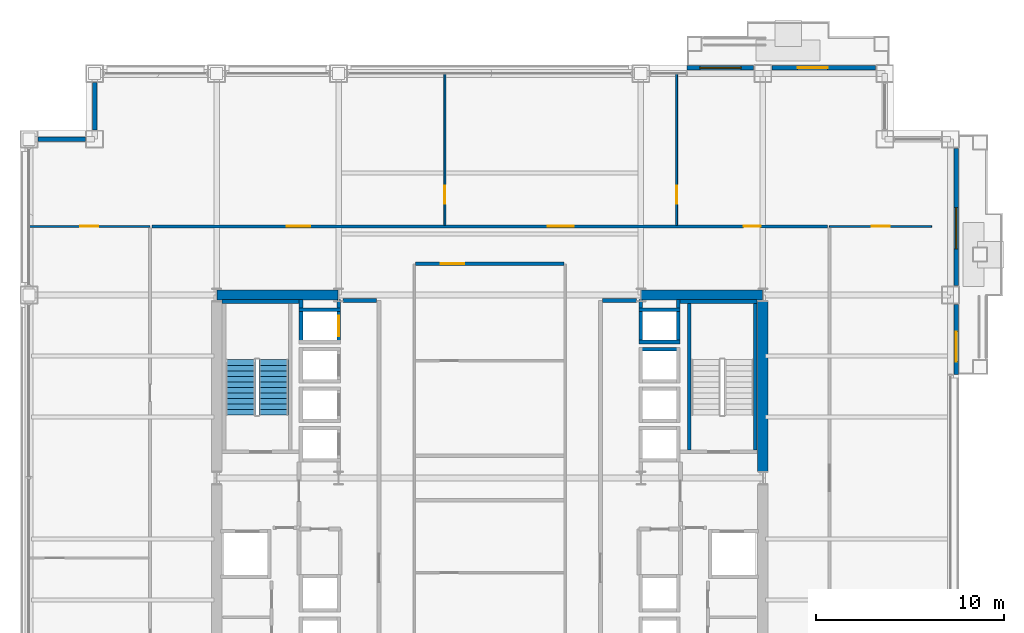
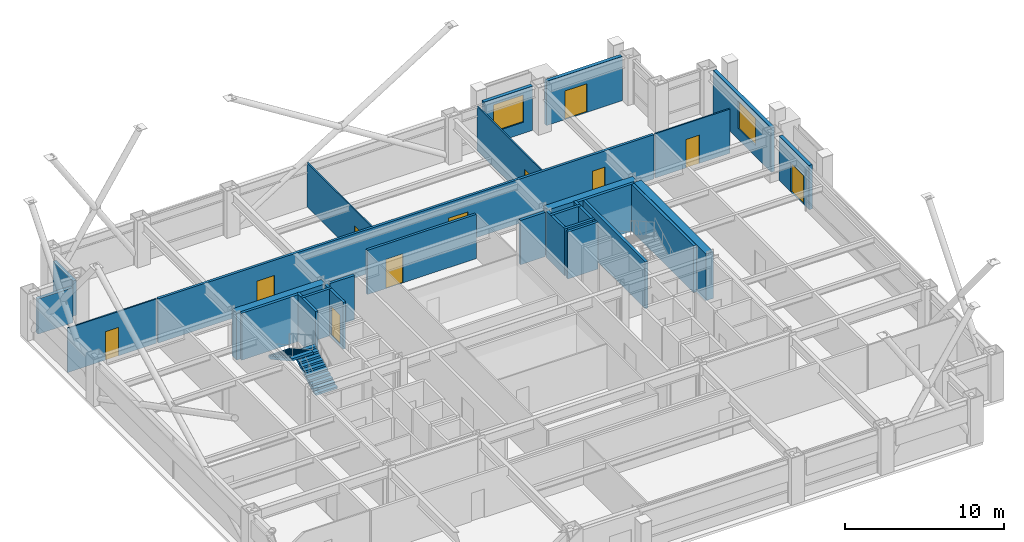
# One storey, part 29 of 33: 29 walls, 11 doors, 2 stair flights, 2 windows, 13 openings, 1 element without a shape of its own.
"""IFC4 building model written with IfcOpenShell, lengths in metres."""

from ifc_helpers import new_model, si_unit, direction, frame, frame_2d, origin, place, context, subcontext, project, spatial, polyline, rectangle, outline, extrude, material, layer, layer_set, type_object, element, fill, aggregate, save


model = new_model("IFC4")

# Units and contexts
model_context = context("Model", 3, precision=1e-05, world=origin(), true_north=direction((0.0, 1.0)))
body_context = subcontext(model_context, "Body", "Model", "MODEL_VIEW")
ifc_project = project(units=[si_unit("LENGTHUNIT", "METRE"), si_unit("AREAUNIT", "SQUARE_METRE"), si_unit("VOLUMEUNIT", "CUBIC_METRE"), si_unit("PLANEANGLEUNIT", "RADIAN"), si_unit("MASSUNIT", "GRAM", prefix="KILO")], contexts=[model_context])

# Site, building, storey
site_placement = place(None, origin())
site = spatial("IfcSite", under=ifc_project, at=site_placement, CompositionType="ELEMENT")
building_placement = place(site_placement, origin())
building = spatial("IfcBuilding", under=site, at=building_placement, Name="Brelmoor Portico Tower", CompositionType="ELEMENT")
storey_placement = place(building_placement, frame((0.0, 0.0, 34.800048828125)))
storey = spatial("IfcBuildingStorey", under=building, at=storey_placement, Name="L08", CompositionType="ELEMENT", Elevation=34.800048828125)

# Walls
ifc_material_1 = material(Name="Concrete C60", Category="concrete")
ifc_layer_1 = layer(ifc_material_1, 0.550048828125)
ifc_layer_set_1 = layer_set([ifc_layer_1], Name="Concrete C60")
wall_type_1 = type_object("IfcWallType", Name="WL-CORE-550", PredefinedType="SHEAR", material=ifc_layer_set_1)
for number, where, z_axis, x_axis, name in (
    (1, (-14.530029296875, 9.75, -0.199951171875), (0.0, 0.0, 1.0), (1.0, 0.0, 0.0), "L08 WC North Shear Wall"),
    (2, (8.070068359375, 9.75, -0.199951171875), (0.0, 0.0, 1.0), (1.0, 0.0, 0.0), "L08 EC North Shear Wall"),
):
    element("IfcWall", number, at=place(storey_placement, frame(where, z_axis=z_axis, x_axis=x_axis)), inside=storey, type_object=wall_type_1, Name=name, PredefinedType="SHEAR", context=body_context, shape_type="SweptSolid", body=[
        extrude(rectangle(XDim=6.4599609375, YDim=0.550048828125, at=frame_2d((3.22998046875, 0.0))), origin(), (0.0, 0.0, 1.0), 3.599853515625),
    ])
wall_1_placement = place(storey_placement, frame((14.550048828125, 0.35009765625, -0.199951171875), z_axis=(0.0, 0.0, 1.0), x_axis=(0.0, 1.0, 0.0)))
element("IfcWall", 3, at=wall_1_placement, inside=storey, type_object=wall_type_1, Name="L08 EC Outer North Shear Wall", PredefinedType="SHEAR", context=body_context, shape_type="SweptSolid", body=[
    extrude(rectangle(XDim=9.0498046875, YDim=0.550048828125, at=frame_2d((4.52490234375, 0.0))), origin(), (0.0, 0.0, 1.0), 3.599853515625),
])

# Wall, opening, window
ifc_material_2 = material(Name="Precast Concrete C40 Insulated Facade Wall", Category="concrete")
ifc_layer_2 = layer(ifc_material_2, 0.25)
ifc_layer_set_2 = layer_set([ifc_layer_2], Name="Precast Concrete C40 Insulated Facade Wall")
wall_type_2 = type_object("IfcWallType", Name="WL-EXT-250", PredefinedType="STANDARD", material=ifc_layer_set_2)
wall_2_placement = place(storey_placement, frame((10.5, 21.860107421875, 0.0), z_axis=(0.0, 0.0, 1.0), x_axis=(1.0, 0.0, 0.0)))
wall_2 = element("IfcWall", 4, at=wall_2_placement, inside=storey, type_object=wall_type_2, Name="L08 Loggia Threshold Wall N-1", PredefinedType="STANDARD", context=body_context, shape_type="SweptSolid", body=[
    extrude(rectangle(XDim=3.554931640625, YDim=0.25, at=frame_2d((1.77734375, 0.0))), origin(), (0.0, 0.0, 1.0), 3.39990234375),
])
opening_1_placement = place(wall_2_placement, frame((0.699951171875, 0.0, 0.85009765625)))
opening_1 = element("IfcOpeningElement", 5, at=opening_1_placement, cuts=wall_2, Name="Opening W-03B", PredefinedType="OPENING", context=body_context, shape_type="SweptSolid", body=[
    extrude(rectangle(XDim=2.199951171875, YDim=2.10009765625, at=frame_2d((1.10009765625, 1.050048828125))), frame((0.0, 0.135009765625, 0.0), z_axis=(0.0, -1.0, 0.0), x_axis=(1.0, 0.0, 0.0)), (0.0, 0.0, 1.0), 0.27001953125),
])
ifc_material_3 = material(Name="Thermally Broken Aluminium Low-E Window", Category="aluminium")
window_type = type_object("IfcWindowType", Name="WN-LOGGIA-2200x2100", PartitioningType="SINGLE_PANEL", PredefinedType="WINDOW", material=ifc_material_3)
window_1_placement = place(opening_1_placement, origin())
window_1 = element("IfcWindow", 6, at=window_1_placement, inside=storey, type_object=window_type, Name="L08 Loggia Window N", OverallHeight=2.10009765625, OverallWidth=2.199951171875, PartitioningType="SINGLE_PANEL", PredefinedType="WINDOW", context=body_context, shape_type="SweptSolid", body=[
    extrude(rectangle(XDim=2.199951171875, YDim=2.10009765625, at=frame_2d((1.10009765625, 1.050048828125))), frame((0.0, 0.030029296875, 0.0), z_axis=(0.0, -1.0, 0.0), x_axis=(1.0, 0.0, 0.0)), (0.0, 0.0, 1.0), 0.06005859375),
])
fill(opening_1, window_1)

# Wall, opening, door
wall_3_placement = place(storey_placement, frame((15.044921875, 21.860107421875, 0.0), z_axis=(0.0, 0.0, 1.0), x_axis=(1.0, 0.0, 0.0)))
wall_3 = element("IfcWall", 7, at=wall_3_placement, inside=storey, type_object=wall_type_2, Name="L08 Loggia Threshold Wall N-2", PredefinedType="STANDARD", context=body_context, shape_type="SweptSolid", body=[
    extrude(rectangle(XDim=5.510009765625, YDim=0.25, at=frame_2d((2.7548828125, 0.0))), origin(), (0.0, 0.0, 1.0), 3.39990234375),
])
opening_2_placement = place(wall_3_placement, frame((1.35498046875, 0.0, 0.0)))
opening_2 = element("IfcOpeningElement", 8, at=opening_2_placement, cuts=wall_3, Name="Opening D-TB1", PredefinedType="OPENING", context=body_context, shape_type="SweptSolid", body=[
    extrude(rectangle(XDim=1.60009765625, YDim=2.199951171875, at=frame_2d((0.800048828125, 1.10009765625))), frame((0.0, 0.135009765625, 0.0), z_axis=(0.0, -1.0, 0.0), x_axis=(1.0, 0.0, 0.0)), (0.0, 0.0, 1.0), 0.27001953125),
])
ifc_material_4 = material(Name="Double-Leaf Thermally Broken Terrace Door", Category="aluminium")
door_type_1 = type_object("IfcDoorType", Name="DR-BALCONY-1600", OperationType="NOTDEFINED", PredefinedType="DOOR", material=ifc_material_4)
door_1_placement = place(opening_2_placement, origin())
door_1 = element("IfcDoor", 9, at=door_1_placement, inside=storey, type_object=door_type_1, Name="D-0379 L08 Tree Balcony Double Door N", OperationType="DOUBLE_DOOR_SINGLE_SWING", OverallHeight=2.199951171875, OverallWidth=1.60009765625, PredefinedType="DOOR", context=body_context, shape_type="SweptSolid", body=[
    extrude(rectangle(XDim=1.60009765625, YDim=2.199951171875, at=frame_2d((0.800048828125, 1.10009765625))), frame((0.0, 0.02490234375, 0.0), z_axis=(0.0, -1.0, 0.0), x_axis=(1.0, 0.0, 0.0)), (0.0, 0.0, 1.0), 0.050048828125),
])
fill(opening_2, door_1)

wall_4_placement = place(storey_placement, frame((24.860107421875, 5.5, 0.0), z_axis=(0.0, 0.0, 1.0), x_axis=(0.0, 1.0, 0.0)))
wall_4 = element("IfcWall", 10, at=wall_4_placement, inside=storey, type_object=wall_type_2, Name="L08 Loggia Threshold Wall E-1", PredefinedType="STANDARD", context=body_context, shape_type="SweptSolid", body=[
    extrude(rectangle(XDim=3.7548828125, YDim=0.25, at=frame_2d((1.87744140625, 0.0))), origin(), (0.0, 0.0, 1.0), 3.39990234375),
])
opening_3_placement = place(wall_4_placement, frame((0.699951171875, 0.0, 0.0)))
opening_3 = element("IfcOpeningElement", 11, at=opening_3_placement, cuts=wall_4, Name="Opening D-TB1", PredefinedType="OPENING", context=body_context, shape_type="SweptSolid", body=[
    extrude(rectangle(XDim=1.60009765625, YDim=2.199951171875, at=frame_2d((0.800048828125, 1.10009765625))), frame((0.0, 0.135009765625, 0.0), z_axis=(0.0, -1.0, 0.0), x_axis=(1.0, 0.0, 0.0)), (0.0, 0.0, 1.0), 0.27001953125),
])
door_2_placement = place(opening_3_placement, origin())
door_2 = element("IfcDoor", 12, at=door_2_placement, inside=storey, type_object=door_type_1, Name="D-0378 L08 Tree Balcony Double Door E", OperationType="DOUBLE_DOOR_SINGLE_SWING", OverallHeight=2.199951171875, OverallWidth=1.60009765625, PredefinedType="DOOR", context=body_context, shape_type="SweptSolid", body=[
    extrude(rectangle(XDim=1.60009765625, YDim=2.199951171875, at=frame_2d((0.800048828125, 1.10009765625))), frame((0.0, 0.02490234375, 0.0), z_axis=(0.0, -1.0, 0.0), x_axis=(1.0, 0.0, 0.0)), (0.0, 0.0, 1.0), 0.050048828125),
])
fill(opening_3, door_2)

# Wall, opening, window
wall_5_placement = place(storey_placement, frame((24.860107421875, 10.2451171875, 0.0), z_axis=(0.0, 0.0, 1.0), x_axis=(0.0, 1.0, 0.0)))
wall_5 = element("IfcWall", 13, at=wall_5_placement, inside=storey, type_object=wall_type_2, Name="L08 Loggia Threshold Wall E-2", PredefinedType="STANDARD", context=body_context, shape_type="SweptSolid", body=[
    extrude(rectangle(XDim=7.309814453125, YDim=0.25, at=frame_2d((3.65478515625, 0.0))), origin(), (0.0, 0.0, 1.0), 3.39990234375),
])
opening_4_placement = place(wall_5_placement, frame((1.955078125, 0.0, 0.85009765625)))
opening_4 = element("IfcOpeningElement", 14, at=opening_4_placement, cuts=wall_5, Name="Opening W-03B", PredefinedType="OPENING", context=body_context, shape_type="SweptSolid", body=[
    extrude(rectangle(XDim=2.199951171875, YDim=2.10009765625, at=frame_2d((1.10009765625, 1.050048828125))), frame((0.0, 0.135009765625, 0.0), z_axis=(0.0, -1.0, 0.0), x_axis=(1.0, 0.0, 0.0)), (0.0, 0.0, 1.0), 0.27001953125),
])
window_2_placement = place(opening_4_placement, origin())
window_2 = element("IfcWindow", 15, at=window_2_placement, inside=storey, type_object=window_type, Name="L08 Loggia Window E", OverallHeight=2.10009765625, OverallWidth=2.199951171875, PartitioningType="SINGLE_PANEL", PredefinedType="WINDOW", context=body_context, shape_type="SweptSolid", body=[
    extrude(rectangle(XDim=2.199951171875, YDim=2.10009765625, at=frame_2d((1.10009765625, 1.050048828125))), frame((0.0, 0.030029296875, 0.0), z_axis=(0.0, -1.0, 0.0), x_axis=(1.0, 0.0, 0.0)), (0.0, 0.0, 1.0), 0.06005859375),
])
fill(opening_4, window_2)

# Walls
for number, where, z_axis, x_axis, name in (
    (16, (-24.06494140625, 18.050048828125, 0.0), (0.0, 0.0, 1.0), (1.0, 0.0, 0.0), "L08 Corner Notch Facade Wall NNWH1"),
    (17, (-21.050048828125, 18.534912109375, 0.0), (0.0, 0.0, 1.0), (0.0, 1.0, 0.0), "L08 Corner Notch Facade Wall NNWV1"),
):
    element("IfcWall", number, at=place(storey_placement, frame(where, z_axis=z_axis, x_axis=x_axis)), inside=storey, type_object=wall_type_2, Name=name, PredefinedType="STANDARD", context=body_context, shape_type="SweptSolid", body=[
        extrude(rectangle(XDim=2.530029296875, YDim=0.25, at=frame_2d((1.26513671875, 0.0))), origin(), (0.0, 0.0, 1.0), 2.699951171875),
    ])

# Wall, opening, door
ifc_material_5 = material(Name="Demountable Glazed Office Partition", Category="aluminium")
ifc_layer_3 = layer(ifc_material_5, 0.10009765625)
ifc_layer_set_3 = layer_set([ifc_layer_3], Name="Demountable Glazed Office Partition")
wall_type_3 = type_object("IfcWallType", Name="WL-PART-100", PredefinedType="PARTITIONING", material=ifc_layer_set_3)
wall_6_placement = place(storey_placement, frame((-2.38916015625, 13.4599609375, 0.0), z_axis=(0.0, 0.0, 1.0), x_axis=(0.0, 1.0, 0.0)))
wall_6 = element("IfcWall", 18, at=wall_6_placement, inside=storey, type_object=wall_type_3, Name="L08 North Suite Partition 1", PredefinedType="PARTITIONING", context=body_context, shape_type="SweptSolid", body=[
    extrude(rectangle(XDim=8.10009765625, YDim=0.10009765625, at=frame_2d((4.050048828125, 0.0))), origin(), (0.0, 0.0, 1.0), 3.39990234375),
])
opening_5_placement = place(wall_6_placement, frame((1.14990234375, 0.0, 0.0)))
opening_5 = element("IfcOpeningElement", 19, at=opening_5_placement, cuts=wall_6, Name="Opening D-IN2", PredefinedType="OPENING", context=body_context, shape_type="SweptSolid", body=[
    extrude(rectangle(XDim=0.9599609375, YDim=2.179931640625, at=frame_2d((0.47998046875, 1.08984375))), frame((0.0, 0.06005859375, 0.0), z_axis=(0.0, -1.0, 0.0), x_axis=(1.0, 0.0, 0.0)), (0.0, 0.0, 1.0), 0.1201171875),
])
ifc_material_6 = material(Name="Lacquered Timber Suite Door", Category="wood")
door_type_2 = type_object("IfcDoorType", Name="DR-INT-950", OperationType="NOTDEFINED", PredefinedType="DOOR", material=ifc_material_6)
door_3_placement = place(opening_5_placement, origin())
door_3 = element("IfcDoor", 20, at=door_3_placement, inside=storey, type_object=door_type_2, Name="D-0367 L08 North Suite Connecting Door 1", OperationType="SINGLE_SWING_LEFT", OverallHeight=2.179931640625, OverallWidth=0.9599609375, PredefinedType="DOOR", context=body_context, shape_type="SweptSolid", body=[
    extrude(rectangle(XDim=0.9599609375, YDim=2.179931640625, at=frame_2d((0.47998046875, 1.08984375))), frame((0.0, 0.02490234375, 0.0), z_axis=(0.0, -1.0, 0.0), x_axis=(1.0, 0.0, 0.0)), (0.0, 0.0, 1.0), 0.050048828125),
])
fill(opening_5, door_3)

wall_7_placement = place(storey_placement, frame((9.955078125, 13.4599609375, 0.0), z_axis=(0.0, 0.0, 1.0), x_axis=(0.0, 1.0, 0.0)))
wall_7 = element("IfcWall", 21, at=wall_7_placement, inside=storey, type_object=wall_type_3, Name="L08 North Suite Partition 2", PredefinedType="PARTITIONING", context=body_context, shape_type="SweptSolid", body=[
    extrude(rectangle(XDim=8.10009765625, YDim=0.10009765625, at=frame_2d((4.050048828125, 0.0))), origin(), (0.0, 0.0, 1.0), 3.39990234375),
])
opening_6_placement = place(wall_7_placement, frame((1.14990234375, 0.0, 0.0)))
opening_6 = element("IfcOpeningElement", 22, at=opening_6_placement, cuts=wall_7, Name="Opening D-IN2", PredefinedType="OPENING", context=body_context, shape_type="SweptSolid", body=[
    extrude(rectangle(XDim=0.9599609375, YDim=2.179931640625, at=frame_2d((0.47998046875, 1.08984375))), frame((0.0, 0.06005859375, 0.0), z_axis=(0.0, -1.0, 0.0), x_axis=(1.0, 0.0, 0.0)), (0.0, 0.0, 1.0), 0.1201171875),
])
door_4_placement = place(opening_6_placement, origin())
door_4 = element("IfcDoor", 23, at=door_4_placement, inside=storey, type_object=door_type_2, Name="D-0368 L08 North Suite Connecting Door 2", OperationType="SINGLE_SWING_RIGHT", OverallHeight=2.179931640625, OverallWidth=0.9599609375, PredefinedType="DOOR", context=body_context, shape_type="SweptSolid", body=[
    extrude(rectangle(XDim=0.9599609375, YDim=2.179931640625, at=frame_2d((0.47998046875, 1.08984375))), frame((0.0, 0.02490234375, 0.0), z_axis=(0.0, -1.0, 0.0), x_axis=(1.0, 0.0, 0.0)), (0.0, 0.0, 1.0), 0.050048828125),
])
fill(opening_6, door_4)

wall_8_placement = place(storey_placement, frame((-24.56005859375, 13.39990234375, 0.0), z_axis=(0.0, 0.0, 1.0), x_axis=(1.0, 0.0, 0.0)))
wall_8 = element("IfcWall", 24, at=wall_8_placement, inside=storey, type_object=wall_type_3, Name="L08 North Outer Closure WL", PredefinedType="PARTITIONING", context=body_context, shape_type="SweptSolid", body=[
    extrude(rectangle(XDim=6.4599609375, YDim=0.10009765625, at=frame_2d((3.22998046875, 0.0))), origin(), (0.0, 0.0, 1.0), 3.39990234375),
])
opening_7_placement = place(wall_8_placement, frame((2.75, 0.0, 0.0)))
opening_7 = element("IfcOpeningElement", 25, at=opening_7_placement, cuts=wall_8, Name="Opening D-IN2", PredefinedType="OPENING", context=body_context, shape_type="SweptSolid", body=[
    extrude(rectangle(XDim=0.9599609375, YDim=2.179931640625, at=frame_2d((0.47998046875, 1.08984375))), frame((0.0, 0.06005859375, 0.0), z_axis=(0.0, -1.0, 0.0), x_axis=(1.0, 0.0, 0.0)), (0.0, 0.0, 1.0), 0.1201171875),
])
door_5_placement = place(opening_7_placement, origin())
door_5 = element("IfcDoor", 26, at=door_5_placement, inside=storey, type_object=door_type_2, Name="D-0370 L08 WL North Corner Suite Door", OperationType="SINGLE_SWING_LEFT", OverallHeight=2.179931640625, OverallWidth=0.9599609375, PredefinedType="DOOR", context=body_context, shape_type="SweptSolid", body=[
    extrude(rectangle(XDim=0.9599609375, YDim=2.179931640625, at=frame_2d((0.47998046875, 1.08984375))), frame((0.0, 0.02490234375, 0.0), z_axis=(0.0, -1.0, 0.0), x_axis=(1.0, 0.0, 0.0)), (0.0, 0.0, 1.0), 0.050048828125),
])
fill(opening_7, door_5)

wall_9_placement = place(storey_placement, frame((18.10009765625, 13.39990234375, 0.0), z_axis=(0.0, 0.0, 1.0), x_axis=(1.0, 0.0, 0.0)))
wall_9 = element("IfcWall", 27, at=wall_9_placement, inside=storey, type_object=wall_type_3, Name="L08 North Outer Closure ER", PredefinedType="PARTITIONING", context=body_context, shape_type="SweptSolid", body=[
    extrude(rectangle(XDim=5.449951171875, YDim=0.10009765625, at=frame_2d((2.72509765625, 0.0))), origin(), (0.0, 0.0, 1.0), 3.39990234375),
])
opening_8_placement = place(wall_9_placement, frame((2.2451171875, 0.0, 0.0)))
opening_8 = element("IfcOpeningElement", 28, at=opening_8_placement, cuts=wall_9, Name="Opening D-IN2", PredefinedType="OPENING", context=body_context, shape_type="SweptSolid", body=[
    extrude(rectangle(XDim=0.9599609375, YDim=2.179931640625, at=frame_2d((0.47998046875, 1.08984375))), frame((0.0, 0.06005859375, 0.0), z_axis=(0.0, -1.0, 0.0), x_axis=(1.0, 0.0, 0.0)), (0.0, 0.0, 1.0), 0.1201171875),
])
door_6_placement = place(opening_8_placement, origin())
door_6 = element("IfcDoor", 29, at=door_6_placement, inside=storey, type_object=door_type_2, Name="D-0369 L08 ER North Corner Suite Door", OperationType="SINGLE_SWING_RIGHT", OverallHeight=2.179931640625, OverallWidth=0.9599609375, PredefinedType="DOOR", context=body_context, shape_type="SweptSolid", body=[
    extrude(rectangle(XDim=0.9599609375, YDim=2.179931640625, at=frame_2d((0.47998046875, 1.08984375))), frame((0.0, 0.02490234375, 0.0), z_axis=(0.0, -1.0, 0.0), x_axis=(1.0, 0.0, 0.0)), (0.0, 0.0, 1.0), 0.050048828125),
])
fill(opening_8, door_6)

ifc_material_7 = material(Name="Acoustic Corridor Fire Partition", Category="gypsum")
ifc_layer_4 = layer(ifc_material_7, 0.179931640625)
ifc_layer_set_4 = layer_set([ifc_layer_4], Name="Acoustic Corridor Fire Partition")
wall_type_4 = type_object("IfcWallType", Name="WL-PART-180", PredefinedType="PARTITIONING", material=ifc_layer_set_4)
wall_10_placement = place(storey_placement, frame((-3.949951171875, 11.419921875, 0.0), z_axis=(0.0, 0.0, 1.0), x_axis=(1.0, 0.0, 0.0)))
wall_10 = element("IfcWall", 30, at=wall_10_placement, inside=storey, type_object=wall_type_4, Name="L08 Central Meeting Corridor Wall", PredefinedType="PARTITIONING", context=body_context, shape_type="SweptSolid", body=[
    extrude(rectangle(XDim=7.89990234375, YDim=0.179931640625, at=frame_2d((3.949951171875, 0.0))), origin(), (0.0, 0.0, 1.0), 3.39990234375),
])
opening_9_placement = place(wall_10_placement, frame((1.35009765625, 0.0, 0.0)))
opening_9 = element("IfcOpeningElement", 31, at=opening_9_placement, cuts=wall_10, Name="Opening D-SU1", PredefinedType="OPENING", context=body_context, shape_type="SweptSolid", body=[
    extrude(rectangle(XDim=1.239990234375, YDim=2.239990234375, at=frame_2d((0.6201171875, 1.1201171875))), frame((0.0, 0.099853515625, 0.0), z_axis=(0.0, -1.0, 0.0), x_axis=(1.0, 0.0, 0.0)), (0.0, 0.0, 1.0), 0.199951171875),
])
ifc_material_8 = material(Name="Glazed Timber Executive Suite Door", Category="wood")
door_type_3 = type_object("IfcDoorType", Name="DR-SUITE-1200", OperationType="NOTDEFINED", PredefinedType="DOOR", material=ifc_material_8)
door_7_placement = place(opening_9_placement, origin())
door_7 = element("IfcDoor", 32, at=door_7_placement, inside=storey, type_object=door_type_3, Name="D-0348 L08 Client Meeting Room Door", OperationType="SINGLE_SWING_LEFT", OverallHeight=2.239990234375, OverallWidth=1.239990234375, PredefinedType="DOOR", context=body_context, shape_type="SweptSolid", body=[
    extrude(rectangle(XDim=1.239990234375, YDim=2.239990234375, at=frame_2d((0.6201171875, 1.1201171875))), frame((0.0, 0.02490234375, 0.0), z_axis=(0.0, -1.0, 0.0), x_axis=(1.0, 0.0, 0.0)), (0.0, 0.0, 1.0), 0.050048828125),
])
fill(opening_9, door_7)

# Wall, openings, doors
wall_11_placement = place(storey_placement, frame((-18.0, 13.39990234375, 0.0), z_axis=(0.0, 0.0, 1.0), x_axis=(1.0, 0.0, 0.0)))
wall_11 = element("IfcWall", 33, at=wall_11_placement, inside=storey, type_object=wall_type_4, Name="L08 North Corridor Partition", PredefinedType="PARTITIONING", context=body_context, shape_type="SweptSolid", body=[
    extrude(rectangle(XDim=36.0, YDim=0.179931640625, at=frame_2d((18.0, 0.0))), origin(), (0.0, 0.0, 1.0), 3.39990234375),
])
opening_10_placement = place(wall_11_placement, frame((7.185302734375, 0.0, 0.0)))
opening_10 = element("IfcOpeningElement", 34, at=opening_10_placement, cuts=wall_11, Name="Opening D-SU1", PredefinedType="OPENING", context=body_context, shape_type="SweptSolid", body=[
    extrude(rectangle(XDim=1.239990234375, YDim=2.239990234375, at=frame_2d((0.6201171875, 1.1201171875))), frame((0.0, 0.099853515625, 0.0), z_axis=(0.0, -1.0, 0.0), x_axis=(1.0, 0.0, 0.0)), (0.0, 0.0, 1.0), 0.199951171875),
])
opening_11_placement = place(wall_11_placement, frame((21.0830078125, 0.0, 0.0)))
opening_11 = element("IfcOpeningElement", 35, at=opening_11_placement, cuts=wall_11, Name="Opening D-SU2", PredefinedType="OPENING", context=body_context, shape_type="SweptSolid", body=[
    extrude(rectangle(XDim=1.39990234375, YDim=2.199951171875, at=frame_2d((0.699951171875, 1.10009765625))), frame((0.0, 0.099853515625, 0.0), z_axis=(0.0, -1.0, 0.0), x_axis=(1.0, 0.0, 0.0)), (0.0, 0.0, 1.0), 0.199951171875),
])
opening_12_placement = place(wall_11_placement, frame((31.527587890625, 0.0, 0.0)))
opening_12 = element("IfcOpeningElement", 36, at=opening_12_placement, cuts=wall_11, Name="Opening D-IN1", PredefinedType="OPENING", context=body_context, shape_type="SweptSolid", body=[
    extrude(rectangle(XDim=0.89990234375, YDim=2.14990234375, at=frame_2d((0.449951171875, 1.074951171875))), frame((0.0, 0.099853515625, 0.0), z_axis=(0.0, -1.0, 0.0), x_axis=(1.0, 0.0, 0.0)), (0.0, 0.0, 1.0), 0.199951171875),
])
door_type_4 = type_object("IfcDoorType", Name="DR-INT-900", OperationType="NOTDEFINED", PredefinedType="DOOR", material=ifc_material_6)
door_8_placement = place(opening_12_placement, origin())
door_8 = element("IfcDoor", 37, at=door_8_placement, inside=storey, type_object=door_type_4, Name="D-0366 L08 North Open-Plan Office 3 Door", OperationType="SINGLE_SWING_RIGHT", OverallHeight=2.14990234375, OverallWidth=0.89990234375, PredefinedType="DOOR", context=body_context, shape_type="SweptSolid", body=[
    extrude(rectangle(XDim=0.89990234375, YDim=2.14990234375, at=frame_2d((0.449951171875, 1.074951171875))), frame((0.0, 0.02490234375, 0.0), z_axis=(0.0, -1.0, 0.0), x_axis=(1.0, 0.0, 0.0)), (0.0, 0.0, 1.0), 0.050048828125),
])
fill(opening_12, door_8)
door_9_placement = place(opening_10_placement, origin())
door_9 = element("IfcDoor", 38, at=door_9_placement, inside=storey, type_object=door_type_3, Name="D-0364 L08 North Design Research Library 1 Door", OperationType="SINGLE_SWING_LEFT", OverallHeight=2.239990234375, OverallWidth=1.239990234375, PredefinedType="DOOR", context=body_context, shape_type="SweptSolid", body=[
    extrude(rectangle(XDim=1.239990234375, YDim=2.239990234375, at=frame_2d((0.6201171875, 1.1201171875))), frame((0.0, 0.02490234375, 0.0), z_axis=(0.0, -1.0, 0.0), x_axis=(1.0, 0.0, 0.0)), (0.0, 0.0, 1.0), 0.050048828125),
])
fill(opening_10, door_9)
ifc_material_9 = material(Name="Double-Leaf Acoustic Suite Door", Category="timber")
door_type_5 = type_object("IfcDoorType", Name="DR-SUITE-1400", OperationType="NOTDEFINED", PredefinedType="DOOR", material=ifc_material_9)
door_10_placement = place(opening_11_placement, origin())
door_10 = element("IfcDoor", 39, at=door_10_placement, inside=storey, type_object=door_type_5, Name="D-0365 L08 North Quiet Reading Study 2 Door", OperationType="DOUBLE_DOOR_SINGLE_SWING", OverallHeight=2.199951171875, OverallWidth=1.39990234375, PredefinedType="DOOR", context=body_context, shape_type="SweptSolid", body=[
    extrude(rectangle(XDim=1.39990234375, YDim=2.199951171875, at=frame_2d((0.699951171875, 1.10009765625))), frame((0.0, 0.02490234375, 0.0), z_axis=(0.0, -1.0, 0.0), x_axis=(1.0, 0.0, 0.0)), (0.0, 0.0, 1.0), 0.050048828125),
])
fill(opening_11, door_10)

# Walls
ifc_material_10 = material(Name="Double-Stud Gypsum Fire Partition", Category="gypsum")
ifc_layer_5 = layer(ifc_material_10, 0.199951171875)
ifc_layer_set_5 = layer_set([ifc_layer_5], Name="Double-Stud Gypsum Fire Partition")
wall_type_5 = type_object("IfcWallType", Name="WL-PART-200", PredefinedType="PARTITIONING", material=ifc_layer_set_5)
for number, where, z_axis, x_axis, name in (
    (40, (-6.02001953125, 9.449951171875, 0.0), (0.0, 0.0, 1.0), (-1.0, 0.0, 0.0), "L08 W Lift Lobby North End Wall"),
    (41, (6.02001953125, 9.449951171875, 0.0), (0.0, 0.0, 1.0), (1.0, 0.0, 0.0), "L08 E Lift Lobby North End Wall"),
):
    element("IfcWall", number, at=place(storey_placement, frame(where, z_axis=z_axis, x_axis=x_axis)), inside=storey, type_object=wall_type_5, Name=name, PredefinedType="PARTITIONING", context=body_context, shape_type="SweptSolid", body=[
        extrude(rectangle(XDim=1.800048828125, YDim=0.199951171875, at=frame_2d((0.89990234375, 0.0))), origin(), (0.0, 0.0, 1.0), 3.39990234375),
    ])

# Wall, opening, door
ifc_material_11 = material(Name="Precast Concrete C40", Category="concrete")
ifc_layer_6 = layer(ifc_material_11, 0.18994140625)
ifc_layer_set_6 = layer_set([ifc_layer_6], Name="Precast Concrete C40")
wall_type_6 = type_object("IfcWallType", Name="WL-SHAFT-180", PredefinedType="SOLIDWALL", material=ifc_layer_set_6)
wall_12_placement = place(storey_placement, frame((-8.044921875, 7.14990234375, -0.199951171875), z_axis=(0.0, 0.0, 1.0), x_axis=(0.0, 1.0, 0.0)))
wall_12 = element("IfcWall", 42, at=wall_12_placement, inside=storey, type_object=wall_type_6, Name="L08 Lift PL4 Hoistway Front Wall", PredefinedType="SOLIDWALL", context=body_context, shape_type="SweptSolid", body=[
    extrude(rectangle(XDim=2.3701171875, YDim=0.18994140625, at=frame_2d((1.18505859375, 0.0))), origin(), (0.0, 0.0, 1.0), 3.599853515625),
])
opening_13_placement = place(wall_12_placement, frame((0.39990234375, 0.0, 0.199951171875)))
opening_13 = element("IfcOpeningElement", 43, at=opening_13_placement, cuts=wall_12, Name="Opening LD-01", PredefinedType="OPENING", context=body_context, shape_type="SweptSolid", body=[
    extrude(rectangle(XDim=1.10009765625, YDim=2.199951171875, at=frame_2d((0.550048828125, 1.10009765625))), frame((0.0, 0.10498046875, 0.0), z_axis=(0.0, -1.0, 0.0), x_axis=(1.0, 0.0, 0.0)), (0.0, 0.0, 1.0), 0.2099609375),
])
ifc_material_12 = material(Name="Brushed Stainless Steel Sliding Lift Door", Category="steel")
door_type_6 = type_object("IfcDoorType", Name="DR-LIFT-1100", OperationType="NOTDEFINED", PredefinedType="DOOR", material=ifc_material_12)
door_11_placement = place(opening_13_placement, origin())
door_11 = element("IfcDoor", 44, at=door_11_placement, inside=storey, type_object=door_type_6, Name="D-0390 L08 Lift PL4 Sliding Landing Door", OperationType="SLIDING_TO_LEFT", OverallHeight=2.199951171875, OverallWidth=1.10009765625, PredefinedType="DOOR", context=body_context, shape_type="SweptSolid", body=[
    extrude(rectangle(XDim=1.10009765625, YDim=2.199951171875, at=frame_2d((0.550048828125, 1.10009765625))), frame((0.0, 0.02490234375, 0.0), z_axis=(0.0, -1.0, 0.0), x_axis=(1.0, 0.0, 0.0)), (0.0, 0.0, 1.0), 0.050048828125),
])
fill(opening_13, door_11)

# Walls
wall_13_placement = place(storey_placement, frame((-10.054931640625, 7.14990234375, -0.199951171875), z_axis=(0.0, 0.0, 1.0), x_axis=(0.0, 1.0, 0.0)))
element("IfcWall", 45, at=wall_13_placement, inside=storey, type_object=wall_type_6, Name="L08 Lift PL4 Hoistway Back Wall", PredefinedType="SOLIDWALL", context=body_context, shape_type="SweptSolid", body=[
    extrude(rectangle(XDim=2.3701171875, YDim=0.18994140625, at=frame_2d((1.18505859375, 0.0))), origin(), (0.0, 0.0, 1.0), 3.599853515625),
])
for number, where, z_axis, x_axis, name in (
    (46, (-10.14990234375, 8.955078125, -0.199951171875), (0.0, 0.0, 1.0), (1.0, 0.0, 0.0), "L08 Lift PL4 Hoistway North Wall"),
    (47, (7.949951171875, 6.85498046875, -0.199951171875), (0.0, 0.0, 1.0), (1.0, 0.0, 0.0), "L08 Lift PM3 Hoistway North Wall"),
):
    element("IfcWall", number, at=place(storey_placement, frame(where, z_axis=z_axis, x_axis=x_axis)), inside=storey, type_object=wall_type_6, Name=name, PredefinedType="SOLIDWALL", context=body_context, shape_type="SweptSolid", body=[
        extrude(rectangle(XDim=2.199951171875, YDim=0.18994140625, at=frame_2d((1.10009765625, 0.0))), origin(), (0.0, 0.0, 1.0), 3.599853515625),
    ])
for number, where, z_axis, x_axis, name in (
    (48, (8.044921875, 7.14990234375, -0.199951171875), (0.0, 0.0, 1.0), (0.0, 1.0, 0.0), "L08 Lift PM4 Hoistway Front Wall"),
    (49, (10.054931640625, 7.14990234375, -0.199951171875), (0.0, 0.0, 1.0), (0.0, 1.0, 0.0), "L08 Lift PM4 Hoistway Back Wall"),
):
    element("IfcWall", number, at=place(storey_placement, frame(where, z_axis=z_axis, x_axis=x_axis)), inside=storey, type_object=wall_type_6, Name=name, PredefinedType="SOLIDWALL", context=body_context, shape_type="SweptSolid", body=[
        extrude(rectangle(XDim=2.3701171875, YDim=0.18994140625, at=frame_2d((1.18505859375, 0.0))), origin(), (0.0, 0.0, 1.0), 3.599853515625),
    ])
for number, where, z_axis, x_axis, name in (
    (50, (7.949951171875, 8.955078125, -0.199951171875), (0.0, 0.0, 1.0), (1.0, 0.0, 0.0), "L08 Lift PM4 Hoistway North Wall"),
    (51, (7.949951171875, 7.2451171875, -0.199951171875), (0.0, 0.0, 1.0), (1.0, 0.0, 0.0), "L08 Lift PM4 Hoistway South Wall"),
):
    element("IfcWall", number, at=place(storey_placement, frame(where, z_axis=z_axis, x_axis=x_axis)), inside=storey, type_object=wall_type_6, Name=name, PredefinedType="SOLIDWALL", context=body_context, shape_type="SweptSolid", body=[
        extrude(rectangle(XDim=2.199951171875, YDim=0.18994140625, at=frame_2d((1.10009765625, 0.0))), origin(), (0.0, 0.0, 1.0), 3.599853515625),
    ])
ifc_material_13 = material(Name="Concrete C40", Category="concrete")
ifc_layer_7 = layer(ifc_material_13, 0.199951171875)
ifc_layer_set_7 = layer_set([ifc_layer_7], Name="Concrete C40")
wall_type_7 = type_object("IfcWallType", Name="WL-SHAFT-RC200", PredefinedType="SOLIDWALL", material=ifc_layer_set_7)
wall_14_placement = place(storey_placement, frame((14.14990234375, 1.5, -0.199951171875), z_axis=(0.0, 0.0, 1.0), x_axis=(0.0, 1.0, 0.0)))
element("IfcWall", 52, at=wall_14_placement, inside=storey, type_object=wall_type_7, Name="L08 ST-E Structural Stair Wall Outer", PredefinedType="SOLIDWALL", context=body_context, shape_type="SweptSolid", body=[
    extrude(rectangle(XDim=7.800048828125, YDim=0.199951171875, at=frame_2d((3.89990234375, 0.0))), origin(), (0.0, 0.0, 1.0), 3.599853515625),
])
for number, where, z_axis, x_axis, name in (
    (53, (-14.25, 9.39990234375, -0.199951171875), (0.0, 0.0, 1.0), (1.0, 0.0, 0.0), "L08 ST-W Structural Stair Wall N"),
    (54, (10.14990234375, 9.39990234375, -0.199951171875), (0.0, 0.0, 1.0), (1.0, 0.0, 0.0), "L08 ST-E Structural Stair Wall N"),
):
    element("IfcWall", number, at=place(storey_placement, frame(where, z_axis=z_axis, x_axis=x_axis)), inside=storey, type_object=wall_type_7, Name=name, PredefinedType="SOLIDWALL", context=body_context, shape_type="SweptSolid", body=[
        extrude(rectangle(XDim=4.10009765625, YDim=0.199951171875, at=frame_2d((2.050048828125, 0.0))), origin(), (0.0, 0.0, 1.0), 3.599853515625),
    ])
wall_15_placement = place(storey_placement, frame((10.6298828125, 1.5, -0.199951171875), z_axis=(0.0, 0.0, 1.0), x_axis=(0.0, 1.0, 0.0)))
element("IfcWall", 55, at=wall_15_placement, inside=storey, type_object=wall_type_7, Name="L08 ST-E Structural Stair Wall Inner", PredefinedType="SOLIDWALL", context=body_context, shape_type="SweptSolid", body=[
    extrude(rectangle(XDim=7.800048828125, YDim=0.199951171875, at=frame_2d((3.89990234375, 0.0))), origin(), (0.0, 0.0, 1.0), 3.599853515625),
])

# Stair, stair flights
stair_type = type_object("IfcStairType", Name="ST-CORE-W", PredefinedType="HALF_TURN_STAIR", material=ifc_material_13)
stair_placement = place(storey_placement, origin())
stair = element("IfcStair", 56, at=stair_placement, inside=storey, type_object=stair_type, Name="L08 Protected Core Exit Stair ST-W", PredefinedType="HALF_TURN_STAIR")
stair_flight_type = type_object("IfcStairFlightType", Name="SF-CORE-1850", PredefinedType="STRAIGHT", material=ifc_material_13)
stair_flight_1_placement = place(storey_placement, frame((-11.510009765625, 3.35009765625, 0.0), z_axis=(0.0, 0.0, 1.0), x_axis=(0.0, 1.0, 0.0)))
stair_flight_1 = element("IfcStairFlight", 57, at=stair_flight_1_placement, type_object=stair_flight_type, Name="ST-W flight 1", NumberOfRisers=11, NumberOfTreads=10, PredefinedType="STRAIGHT", RiserHeight=0.163636364, TreadLength=0.295, context=body_context, shape_type="SweptSolid", body=[
    extrude(outline(polyline([(0.0, 0.0), (0.0, 0.16357421875), (0.294921875, 0.16357421875), (0.294921875, 0.327392578125), (0.590087890625, 0.327392578125), (0.590087890625, 0.490966796875), (0.885009765625, 0.490966796875), (0.885009765625, 0.654541015625), (1.179931640625, 0.654541015625), (1.179931640625, 0.818115234375), (1.47509765625, 0.818115234375), (1.47509765625, 0.98193359375), (1.77001953125, 0.98193359375), (1.77001953125, 1.1455078125), (2.06494140625, 1.1455078125), (2.06494140625, 1.30908203125), (2.360107421875, 1.30908203125), (2.360107421875, 1.47265625), (2.655029296875, 1.47265625), (2.655029296875, 1.636474609375), (2.949951171875, 1.636474609375), (2.949951171875, 1.800048828125), (2.949951171875, 1.46484375), (0.30908203125, 0.0), (0.0, 0.0)])), frame((0.0, 0.780029296875, 0.0), z_axis=(0.0, -1.0, 0.0), x_axis=(1.0, 0.0, 0.0)), (0.0, 0.0, 1.0), 1.56005859375),
])
stair_flight_2_placement = place(storey_placement, frame((-13.27001953125, 6.300048828125, 1.800048828125), z_axis=(0.0, 0.0, 1.0), x_axis=(0.0, -1.0, 0.0)))
stair_flight_2 = element("IfcStairFlight", 58, at=stair_flight_2_placement, type_object=stair_flight_type, Name="ST-W flight 2", NumberOfRisers=11, NumberOfTreads=10, PredefinedType="STRAIGHT", RiserHeight=0.163636364, TreadLength=0.295, context=body_context, shape_type="SweptSolid", body=[
    extrude(outline(polyline([(0.0, 0.0), (0.0, 0.16357421875), (0.294921875, 0.16357421875), (0.294921875, 0.327392578125), (0.590087890625, 0.327392578125), (0.590087890625, 0.490966796875), (0.885009765625, 0.490966796875), (0.885009765625, 0.654541015625), (1.179931640625, 0.654541015625), (1.179931640625, 0.818115234375), (1.47509765625, 0.818115234375), (1.47509765625, 0.98193359375), (1.77001953125, 0.98193359375), (1.77001953125, 1.1455078125), (2.06494140625, 1.1455078125), (2.06494140625, 1.30908203125), (2.360107421875, 1.30908203125), (2.360107421875, 1.47265625), (2.655029296875, 1.47265625), (2.655029296875, 1.636474609375), (2.949951171875, 1.636474609375), (2.949951171875, 1.800048828125), (2.949951171875, 1.46484375), (0.30908203125, 0.0), (0.0, 0.0)])), frame((0.0, 0.780029296875, 0.0), z_axis=(0.0, -1.0, 0.0), x_axis=(1.0, 0.0, 0.0)), (0.0, 0.0, 1.0), 1.56005859375),
])
aggregate(stair, [stair_flight_1, stair_flight_2])

save(model, "model.ifc")
